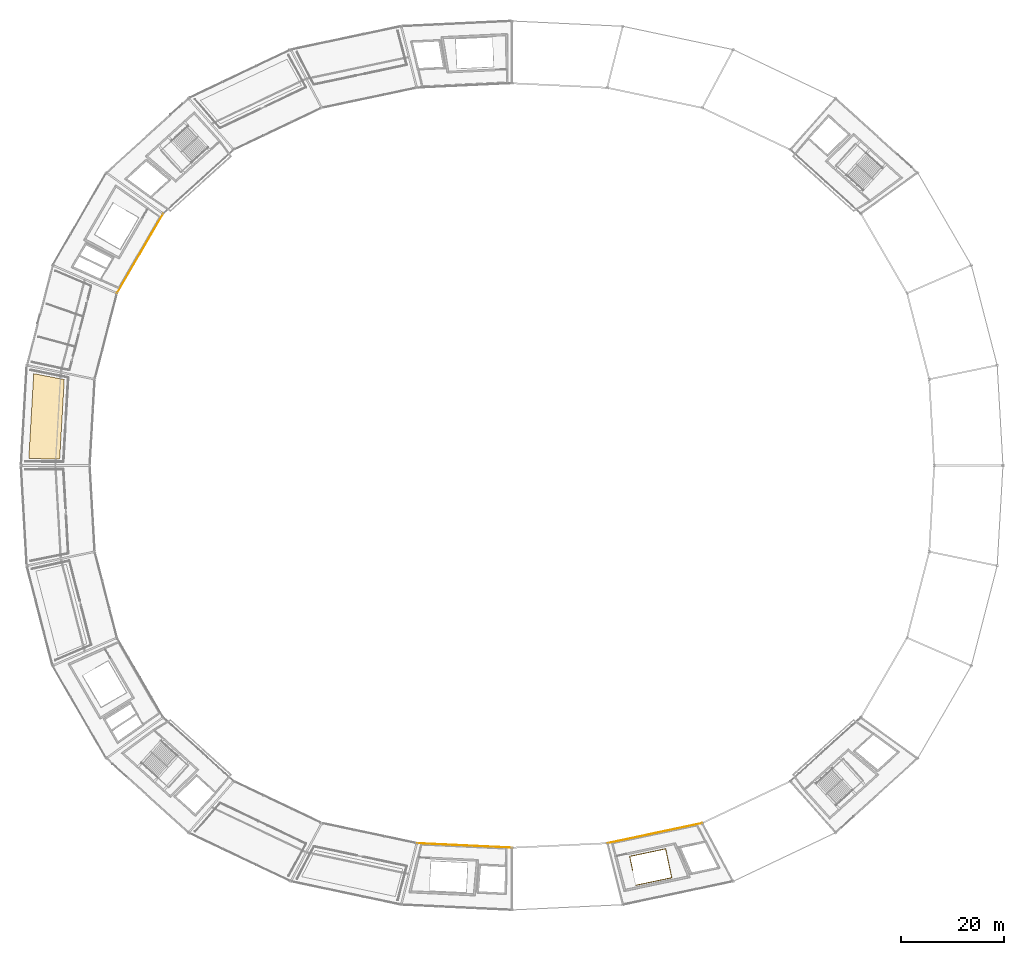
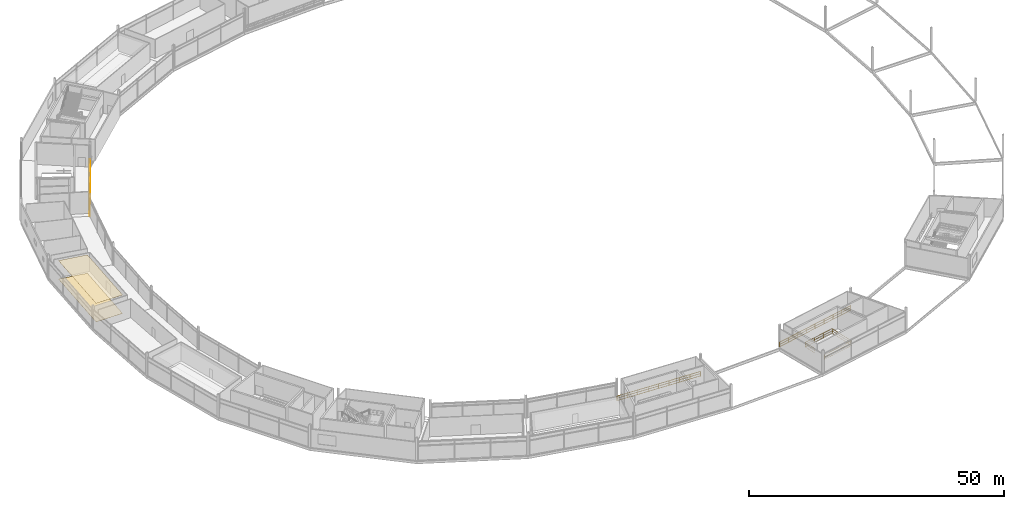
# One storey, part 83 of 86: 4 railings, 2 coverings.
"""IFC4 building model written with IfcOpenShell, lengths in metres."""

import ifcopenshell
import ifcopenshell.guid

model = None  # the IFC model being written
_history = None  # IfcOwnerHistory: only IFC2X3 demands one
_inside = {}  # id of a spatial element -> (the spatial element, [elements in it])
_under = {}  # id of a project, library or spatial element -> (it, [spatial elements below it])
_declared = {}  # id of a project -> (the project, [libraries it declares])
_typed = {}  # id of a type object -> (the type object, [elements of that type])
_made_of = {}  # id of a material, layer set ... -> (it, [elements and type objects made of it])


def new_model(schema):
    """Start an empty IFC model of exactly this schema.

    Asked for "IFC4X3", IfcOpenShell would pick the latest addendum, in which some entities
    have other attributes; the version numbers below select the first issue.
    IFC2X3 requires an IfcOwnerHistory on every rooted entity: one is made here for all.
    """
    global model, _history
    if schema == "IFC4X3":
        model = ifcopenshell.file(schema_version=(4, 3, 0, 0))
    else:
        model = ifcopenshell.file(schema=schema)
    _inside.clear()
    _under.clear()
    _declared.clear()
    _typed.clear()
    _made_of.clear()
    _history = None
    if model.schema == "IFC2X3":
        org = make("IfcOrganization", Name="unknown")
        user = make(
            "IfcPersonAndOrganization",
            ThePerson=make("IfcPerson", FamilyName="unknown"),
            TheOrganization=org,
        )
        app = make(
            "IfcApplication",
            ApplicationDeveloper=org,
            Version="unknown",
            ApplicationFullName="unknown",
            ApplicationIdentifier="unknown",
        )
        _history = make(
            "IfcOwnerHistory",
            OwningUser=user,
            OwningApplication=app,
            ChangeAction="ADDED",
            CreationDate=0,
        )
    return model


def make(cls, **values):
    """One entity of the class cls with the attributes given. An attribute that is None is left unset."""
    return model.create_entity(
        cls, **{name: value for name, value in values.items() if value is not None}
    )


def rooted(cls, **values):
    """An entity with a GlobalId (a new one), such as an element, a storey or a relation."""
    return make(cls, GlobalId=ifcopenshell.guid.new(), OwnerHistory=_history, **values)


def si_unit(unit_type, name, prefix=None):
    """IfcSIUnit, for example si_unit("LENGTHUNIT", "METRE", prefix="MILLI")."""
    return make("IfcSIUnit", UnitType=unit_type, Prefix=prefix, Name=name)


def assignment(units):
    """IfcUnitAssignment: the units of a project."""
    return None if units is None else make("IfcUnitAssignment", Units=units)


def point(xyz):
    """IfcCartesianPoint."""
    return None if xyz is None else make("IfcCartesianPoint", Coordinates=xyz)


def direction(xyz):
    """IfcDirection."""
    return None if xyz is None else make("IfcDirection", DirectionRatios=xyz)


def frame(location, z_axis=None, x_axis=None):
    """IfcAxis2Placement3D, a coordinate frame: its origin and axes. An axis left out is left unset."""
    return make(
        "IfcAxis2Placement3D",
        Location=point(location),
        Axis=direction(z_axis),
        RefDirection=direction(x_axis),
    )


def frame_2d(location, x_axis=None):
    """IfcAxis2Placement2D, a coordinate frame in the plane: its origin and x axis."""
    return make(
        "IfcAxis2Placement2D", Location=point(location), RefDirection=direction(x_axis)
    )


def origin():
    """The frame at (0, 0, 0) with its axes left unset."""
    return frame((0.0, 0.0, 0.0))


def origin_2d():
    """The frame at (0, 0) in the plane with its x axis left unset."""
    return frame_2d((0.0, 0.0))


def place(relative_to, where):
    """IfcLocalPlacement: puts the frame where relative to a parent placement (None: the world)."""
    return make(
        "IfcLocalPlacement", PlacementRelTo=relative_to, RelativePlacement=where
    )


def context(
    kind, dimensions, precision=None, world=None, true_north=None, identifier=None
):
    """IfcGeometricRepresentationContext, for example the 3D "Model" context."""
    return make(
        "IfcGeometricRepresentationContext",
        ContextIdentifier=identifier,
        ContextType=kind,
        CoordinateSpaceDimension=dimensions,
        Precision=precision,
        WorldCoordinateSystem=world,
        TrueNorth=true_north,
    )


def subcontext(parent, identifier, kind, view, scale=None):
    """IfcGeometricRepresentationSubContext, for example "Body" below "Model"."""
    return make(
        "IfcGeometricRepresentationSubContext",
        ContextIdentifier=identifier,
        ContextType=kind,
        ParentContext=parent,
        TargetScale=scale,
        TargetView=view,
    )


def project(units=None, contexts=None):
    """IfcProject with its units and contexts."""
    return rooted(
        "IfcProject",
        Name="project",
        RepresentationContexts=contexts,
        UnitsInContext=assignment(units),
    )


def spatial(cls, under=None, at=None, **own):
    """A site, building, storey or space (cls), placed at a placement, below another one or the project."""
    s = rooted(cls, ObjectPlacement=at, **own)
    if under is not None:
        _under.setdefault(under.id(), (under, []))[1].append(s)
    return s


def polyline(points):
    """IfcPolyline through the points."""
    return make("IfcPolyline", Points=[point(p) for p in points])


def profile(cls, at=None, kind="AREA", **sizes):
    """A parametric profile (cls). Its sizes go by their IFC names, for example OverallWidth=200.0."""
    return make(cls, ProfileType=kind, Position=at, **sizes)


def rectangle(**sizes):
    """IfcRectangleProfileDef."""
    return profile("IfcRectangleProfileDef", **sizes)


def outline(outer, holes=None, kind="AREA"):
    """IfcArbitraryClosedProfileDef: a profile drawn as a closed curve; with holes, ...WithVoids."""
    if holes is None:
        return make("IfcArbitraryClosedProfileDef", ProfileType=kind, OuterCurve=outer)
    return make(
        "IfcArbitraryProfileDefWithVoids",
        ProfileType=kind,
        OuterCurve=outer,
        InnerCurves=holes,
    )


def extrude(swept, where, along, depth):
    """IfcExtrudedAreaSolid: the profile swept, set in the frame where, extruded along a direction by depth."""
    return make(
        "IfcExtrudedAreaSolid",
        SweptArea=swept,
        Position=where,
        ExtrudedDirection=direction(along),
        Depth=depth,
    )


def shape(context_of_items, identifier, shape_type, items):
    """IfcShapeRepresentation: the items that make up one representation, for example the "Body"."""
    return make(
        "IfcShapeRepresentation",
        ContextOfItems=context_of_items,
        RepresentationIdentifier=identifier,
        RepresentationType=shape_type,
        Items=items,
    )


def material(Name=None, Category=None):
    """IfcMaterial."""
    return make("IfcMaterial", Name=Name, Category=Category)


def layer(
    of_material, thickness, ventilated=None, Name=None, Category=None, Priority=None
):
    """IfcMaterialLayer: one layer of a wall or slab, of a material (None: an air gap)."""
    return make(
        "IfcMaterialLayer",
        Material=of_material,
        LayerThickness=thickness,
        IsVentilated=ventilated,
        Name=Name,
        Category=Category,
        Priority=Priority,
    )


def layer_set(layers, Name=None):
    """IfcMaterialLayerSet."""
    return make("IfcMaterialLayerSet", MaterialLayers=layers, LayerSetName=Name)


def made_of(thing, what):
    """Note that an element or type object is made of a material, layer set ...; save() writes the relation."""
    if what is not None:
        _made_of.setdefault(what.id(), (what, []))[1].append(thing)
    return thing


def type_object(cls, material=None, **own):
    """A type object (cls), such as IfcWallType, which elements share."""
    return made_of(rooted(cls, **own), material)


def element(
    cls,
    number,
    at=None,
    inside=None,
    cuts=None,
    type_object=None,
    material=None,
    context=None,
    identifier="Body",
    shape_type=None,
    held_by="IfcProductDefinitionShape",
    body=None,
    shapes=None,
    **own,
):
    """One element of the class cls, such as IfcWall. Its Tag is "e" and its number.

    at: its placement. inside: the storey or other place that contains it. cuts: it is an
    opening in that element (IfcRelVoidsElement). A single representation is given by context,
    identifier, shape_type and body (its items); several are given by shapes. held_by: the class
    of the entity that holds the representations. save() writes the other relations.
    """
    e = rooted(cls, Tag="e%d" % number, ObjectPlacement=at, **own)
    if body is not None:
        shapes = [shape(context, identifier, shape_type, body)]
    if shapes is not None:
        e.Representation = make(held_by, Representations=shapes)
    if inside is not None:
        _inside.setdefault(inside.id(), (inside, []))[1].append(e)
    if cuts is not None:
        rooted(
            "IfcRelVoidsElement", RelatingBuildingElement=cuts, RelatedOpeningElement=e
        )
    if type_object is not None:
        _typed.setdefault(type_object.id(), (type_object, []))[1].append(e)
    return made_of(e, material)


def aggregate(whole, parts):
    """IfcRelAggregates: a whole, such as a stair, and the parts it consists of."""
    return rooted("IfcRelAggregates", RelatingObject=whole, RelatedObjects=parts)


def save(model, path):
    """Write the relations noted so far, then the file.

    IfcRelAggregates (storeys below a building ...), IfcRelContainedInSpatialStructure (elements
    in a storey), IfcRelDefinesByType, IfcRelAssociatesMaterial and IfcRelDeclares: one each for
    every whole, place, type object, material and project.
    """
    for whole, parts in _under.values():
        aggregate(whole, parts)
    for where, things in _inside.values():
        rooted(
            "IfcRelContainedInSpatialStructure",
            RelatedElements=things,
            RelatingStructure=where,
        )
    for kind, things in _typed.values():
        rooted("IfcRelDefinesByType", RelatedObjects=things, RelatingType=kind)
    for what, things in _made_of.values():
        rooted("IfcRelAssociatesMaterial", RelatedObjects=things, RelatingMaterial=what)
    for by, libraries in _declared.values():
        rooted("IfcRelDeclares", RelatingContext=by, RelatedDefinitions=libraries)
    model.write(path)


model = new_model("IFC4")

# Units and contexts
model_context = context("Model", 3, precision=1e-05, world=origin(), true_north=direction((0.0, 1.0)))
body_context = subcontext(model_context, "Body", "Model", "MODEL_VIEW")
ifc_project = project(units=[si_unit("LENGTHUNIT", "METRE"), si_unit("AREAUNIT", "SQUARE_METRE"), si_unit("VOLUMEUNIT", "CUBIC_METRE"), si_unit("PLANEANGLEUNIT", "RADIAN"), si_unit("MASSUNIT", "GRAM", prefix="KILO")], contexts=[model_context])

# Site, building, storey
site_placement = place(None, origin())
site = spatial("IfcSite", under=ifc_project, at=site_placement, CompositionType="ELEMENT")
building_placement = place(site_placement, origin())
building = spatial("IfcBuilding", under=site, at=building_placement, Name="Kazemori Nagisa Stadium", CompositionType="ELEMENT")
storey_placement = place(building_placement, frame((0.0, 0.0, 31.280029296875)))
storey = spatial("IfcBuildingStorey", under=building, at=storey_placement, Name="L06", CompositionType="ELEMENT", Elevation=31.280029296875)

# Coverings
ifc_material_1 = material(Name="Mineral-fibre acoustic board", Category="gypsum")
ifc_layer_1 = layer(ifc_material_1, 0.02001953125, Name="Mineral-fibre acoustic board", Category="gypsum")
ifc_layer_set_1 = layer_set([ifc_layer_1], Name="Mineral-fibre acoustic board")
covering_type_1 = type_object("IfcCoveringType", Name="Cov_CEIL", PredefinedType="CEILING", material=ifc_layer_set_1)
covering_1_placement = place(storey_placement, frame((0.0, 0.0, 4.429931640625)))
element("IfcCovering", 1, at=covering_1_placement, inside=storey, type_object=covering_type_1, Name="Acoustic ceiling L06-B14", PredefinedType="CEILING", context=body_context, shape_type="SweptSolid", body=[
    extrude(outline(polyline([(36.36962890625, 118.6328125), (35.482177734375, 103.251953125), (29.502197265625, 103.33740234375), (30.4501953125, 119.769287109375), (36.36962890625, 118.6328125)])), origin(), (0.0, 0.0, 1.0), 0.02001953125),
])
ifc_material_2 = material(Name="Porcelain stoneware tile", Category="masonry")
ifc_layer_2 = layer(ifc_material_2, 0.02490234375, Name="Porcelain stoneware tile", Category="masonry")
ifc_layer_set_2 = layer_set([ifc_layer_2], Name="Porcelain stoneware tile")
covering_type_2 = type_object("IfcCoveringType", Name="Cov_FLOOR", PredefinedType="FLOORING", material=ifc_layer_set_2)
covering_2_placement = place(storey_placement, origin())
element("IfcCovering", 2, at=covering_2_placement, inside=storey, type_object=covering_type_2, Name="Porcelain floor finish L06-B14", PredefinedType="FLOORING", context=body_context, shape_type="SweptSolid", body=[
    extrude(outline(polyline([(36.36962890625, 118.6328125), (35.482177734375, 103.251953125), (29.502197265625, 103.33740234375), (30.4501953125, 119.769287109375), (36.36962890625, 118.6328125)])), origin(), (0.0, 0.0, 1.0), 0.02490234375),
])

# Railings
ifc_material_3 = material(Name="Laminated safety glass and stainless steel SUS304", Category="steel")
railing_type_1 = type_object("IfcRailingType", Name="Rail_BAL", PredefinedType="BALUSTRADE", material=ifc_material_3)
railing_1_placement = place(storey_placement, frame((55.493896484375, 150.734130859375, 0.0)))
element("IfcRailing", 3, at=railing_1_placement, inside=storey, type_object=railing_type_1, Name="Upper concourse balustrade L06-B12", PredefinedType="BALUSTRADE", context=body_context, shape_type="SweptSolid", body=[
    extrude(rectangle(XDim=0.050048828125, YDim=0.050048828125, at=origin_2d()), frame((0.0, 0.0, 1.09521484375), z_axis=(-0.501606704589, -0.865095783085, 0.0), x_axis=(0.865095783085, -0.501606704589, 0.0)), (0.0, 0.0, 1.0), 17.8125),
    extrude(rectangle(XDim=0.03759765625, YDim=0.03759765625, at=origin_2d()), frame((0.0, 0.0, 0.58251953125), z_axis=(-0.501606704589, -0.865095783085, 0.0), x_axis=(0.865095783085, -0.501606704589, 0.0)), (0.0, 0.0, 1.0), 17.8125),
    extrude(rectangle(XDim=0.03759765625, YDim=0.03759765625, at=origin_2d()), frame((0.0, 0.0, 0.02490234375), z_axis=(-0.501606704589, -0.865095783085, 0.0), x_axis=(0.865095783085, -0.501606704589, 0.0)), (0.0, 0.0, 1.0), 17.8125),
    extrude(rectangle(XDim=0.044921875, YDim=0.044921875, at=origin_2d()), origin(), (0.0, 0.0, 1.0), 1.070068359375),
    extrude(rectangle(XDim=0.044921875, YDim=0.044921875, at=origin_2d()), frame((-1.116943359375, -1.92626953125, 0.0)), (0.0, 0.0, 1.0), 1.070068359375),
    extrude(rectangle(XDim=0.044921875, YDim=0.044921875, at=origin_2d()), frame((-2.233642578125, -3.852294921875, 0.0)), (0.0, 0.0, 1.0), 1.070068359375),
    extrude(rectangle(XDim=0.044921875, YDim=0.044921875, at=origin_2d()), frame((-3.3505859375, -5.778564453125, 0.0)), (0.0, 0.0, 1.0), 1.070068359375),
    extrude(rectangle(XDim=0.044921875, YDim=0.044921875, at=origin_2d()), frame((-4.46728515625, -7.70458984375, 0.0)), (0.0, 0.0, 1.0), 1.070068359375),
    extrude(rectangle(XDim=0.044921875, YDim=0.044921875, at=origin_2d()), frame((-5.584228515625, -9.630859375, 0.0)), (0.0, 0.0, 1.0), 1.070068359375),
    extrude(rectangle(XDim=0.044921875, YDim=0.044921875, at=origin_2d()), frame((-6.701171875, -11.55712890625, 0.0)), (0.0, 0.0, 1.0), 1.070068359375),
    extrude(rectangle(XDim=0.044921875, YDim=0.044921875, at=origin_2d()), frame((-7.81787109375, -13.483154296875, 0.0)), (0.0, 0.0, 1.0), 1.070068359375),
    extrude(rectangle(XDim=0.044921875, YDim=0.044921875, at=origin_2d()), frame((-8.934814453125, -15.409423828125, 0.0)), (0.0, 0.0, 1.0), 1.070068359375),
])
railing_2_placement = place(storey_placement, frame((104.572265625, 28.911376953125, 0.0)))
element("IfcRailing", 4, at=railing_2_placement, inside=storey, type_object=railing_type_1, Name="Upper concourse balustrade L06-B21", PredefinedType="BALUSTRADE", context=body_context, shape_type="SweptSolid", body=[
    extrude(rectangle(XDim=0.050048828125, YDim=0.050048828125, at=origin_2d()), frame((0.0, 0.0, 1.09521484375), z_axis=(0.9988839804, -0.047231278829, 0.0), x_axis=(0.047231278829, 0.9988839804, 0.0)), (0.0, 0.0, 1.0), 18.4482421875),
    extrude(rectangle(XDim=0.03759765625, YDim=0.03759765625, at=origin_2d()), frame((0.0, 0.0, 0.58251953125), z_axis=(0.9988839804, -0.047231278829, 0.0), x_axis=(0.047231278829, 0.9988839804, 0.0)), (0.0, 0.0, 1.0), 18.4482421875),
    extrude(rectangle(XDim=0.03759765625, YDim=0.03759765625, at=origin_2d()), frame((0.0, 0.0, 0.02490234375), z_axis=(0.9988839804, -0.047231278829, 0.0), x_axis=(0.047231278829, 0.9988839804, 0.0)), (0.0, 0.0, 1.0), 18.4482421875),
    extrude(rectangle(XDim=0.044921875, YDim=0.044921875, at=origin_2d()), origin(), (0.0, 0.0, 1.0), 1.070068359375),
    extrude(rectangle(XDim=0.044921875, YDim=0.044921875, at=origin_2d()), frame((2.303466796875, -0.10888671875, 0.0)), (0.0, 0.0, 1.0), 1.070068359375),
    extrude(rectangle(XDim=0.044921875, YDim=0.044921875, at=origin_2d()), frame((4.60693359375, -0.2177734375, 0.0)), (0.0, 0.0, 1.0), 1.070068359375),
    extrude(rectangle(XDim=0.044921875, YDim=0.044921875, at=origin_2d()), frame((6.910400390625, -0.32666015625, 0.0)), (0.0, 0.0, 1.0), 1.070068359375),
    extrude(rectangle(XDim=0.044921875, YDim=0.044921875, at=origin_2d()), frame((9.2138671875, -0.435546875, 0.0)), (0.0, 0.0, 1.0), 1.070068359375),
    extrude(rectangle(XDim=0.044921875, YDim=0.044921875, at=origin_2d()), frame((11.517333984375, -0.544677734375, 0.0)), (0.0, 0.0, 1.0), 1.070068359375),
    extrude(rectangle(XDim=0.044921875, YDim=0.044921875, at=origin_2d()), frame((13.82080078125, -0.653564453125, 0.0)), (0.0, 0.0, 1.0), 1.070068359375),
    extrude(rectangle(XDim=0.044921875, YDim=0.044921875, at=origin_2d()), frame((16.124267578125, -0.762451171875, 0.0)), (0.0, 0.0, 1.0), 1.070068359375),
    extrude(rectangle(XDim=0.044921875, YDim=0.044921875, at=origin_2d()), frame((18.427734375, -0.871337890625, 0.0)), (0.0, 0.0, 1.0), 1.070068359375),
])
railing_3_placement = place(storey_placement, frame((141.427734375, 28.911376953125, 0.0)))
element("IfcRailing", 5, at=railing_3_placement, inside=storey, type_object=railing_type_1, Name="Upper concourse balustrade L06-B23", PredefinedType="BALUSTRADE", context=body_context, shape_type="SweptSolid", body=[
    extrude(rectangle(XDim=0.050048828125, YDim=0.050048828125, at=origin_2d()), frame((0.0, 0.0, 1.09521484375), z_axis=(0.978345149833, 0.206980114499, 0.0), x_axis=(-0.206980114499, 0.978345149833, 0.0)), (0.0, 0.0, 1.0), 18.791259765625),
    extrude(rectangle(XDim=0.03759765625, YDim=0.03759765625, at=origin_2d()), frame((0.0, 0.0, 0.58251953125), z_axis=(0.978345149833, 0.206980114499, 0.0), x_axis=(-0.206980114499, 0.978345149833, 0.0)), (0.0, 0.0, 1.0), 18.791259765625),
    extrude(rectangle(XDim=0.03759765625, YDim=0.03759765625, at=origin_2d()), frame((0.0, 0.0, 0.02490234375), z_axis=(0.978345149833, 0.206980114499, 0.0), x_axis=(-0.206980114499, 0.978345149833, 0.0)), (0.0, 0.0, 1.0), 18.791259765625),
    extrude(rectangle(XDim=0.044921875, YDim=0.044921875, at=origin_2d()), origin(), (0.0, 0.0, 1.0), 1.070068359375),
    extrude(rectangle(XDim=0.044921875, YDim=0.044921875, at=origin_2d()), frame((2.298095703125, 0.486083984375, 0.0)), (0.0, 0.0, 1.0), 1.070068359375),
    extrude(rectangle(XDim=0.044921875, YDim=0.044921875, at=origin_2d()), frame((4.59619140625, 0.972412109375, 0.0)), (0.0, 0.0, 1.0), 1.070068359375),
    extrude(rectangle(XDim=0.044921875, YDim=0.044921875, at=origin_2d()), frame((6.89404296875, 1.45849609375, 0.0)), (0.0, 0.0, 1.0), 1.070068359375),
    extrude(rectangle(XDim=0.044921875, YDim=0.044921875, at=origin_2d()), frame((9.192138671875, 1.94482421875, 0.0)), (0.0, 0.0, 1.0), 1.070068359375),
    extrude(rectangle(XDim=0.044921875, YDim=0.044921875, at=origin_2d()), frame((11.490234375, 2.430908203125, 0.0)), (0.0, 0.0, 1.0), 1.070068359375),
    extrude(rectangle(XDim=0.044921875, YDim=0.044921875, at=origin_2d()), frame((13.7880859375, 2.9169921875, 0.0)), (0.0, 0.0, 1.0), 1.070068359375),
    extrude(rectangle(XDim=0.044921875, YDim=0.044921875, at=origin_2d()), frame((16.086181640625, 3.4033203125, 0.0)), (0.0, 0.0, 1.0), 1.070068359375),
    extrude(rectangle(XDim=0.044921875, YDim=0.044921875, at=origin_2d()), frame((18.38427734375, 3.889404296875, 0.0)), (0.0, 0.0, 1.0), 1.070068359375),
])
ifc_material_4 = material(Name="Galvanised powder-coated steel", Category="steel")
railing_type_2 = type_object("IfcRailingType", Name="Rail_GUARD", PredefinedType="GUARDRAIL", material=ifc_material_4)
railing_4_placement = place(storey_placement, frame((146.36669921875, 23.56494140625, 0.0)))
element("IfcRailing", 6, at=railing_4_placement, inside=storey, type_object=railing_type_2, Name="Stair well perimeter guard ST06-L06", PredefinedType="GUARDRAIL", context=body_context, shape_type="SweptSolid", body=[
    extrude(rectangle(XDim=0.050048828125, YDim=0.050048828125, at=origin_2d()), frame((0.0, 0.0, 1.09521484375), z_axis=(-0.206960167837, 0.978349369565, 0.0), x_axis=(-0.978349369565, -0.206960167837, 0.0)), (0.0, 0.0, 1.0), 2.85009765625),
    extrude(rectangle(XDim=0.03759765625, YDim=0.03759765625, at=origin_2d()), frame((0.0, 0.0, 0.58251953125), z_axis=(-0.206960167837, 0.978349369565, 0.0), x_axis=(-0.978349369565, -0.206960167837, 0.0)), (0.0, 0.0, 1.0), 2.85009765625),
    extrude(rectangle(XDim=0.03759765625, YDim=0.03759765625, at=origin_2d()), frame((0.0, 0.0, 0.02490234375), z_axis=(-0.206960167837, 0.978349369565, 0.0), x_axis=(-0.978349369565, -0.206960167837, 0.0)), (0.0, 0.0, 1.0), 2.85009765625),
    extrude(rectangle(XDim=0.050048828125, YDim=0.050048828125, at=origin_2d()), frame((-0.58984375, 2.788330078125, 1.09521484375), z_axis=(0.978345951351, 0.206976325879, 0.0), x_axis=(-0.206976325879, 0.978345951351, 0.0)), (0.0, 0.0, 1.0), 7.094970703125),
    extrude(rectangle(XDim=0.03759765625, YDim=0.03759765625, at=origin_2d()), frame((-0.58984375, 2.788330078125, 0.58251953125), z_axis=(0.978345951351, 0.206976325879, 0.0), x_axis=(-0.206976325879, 0.978345951351, 0.0)), (0.0, 0.0, 1.0), 7.094970703125),
    extrude(rectangle(XDim=0.03759765625, YDim=0.03759765625, at=origin_2d()), frame((-0.58984375, 2.788330078125, 0.02490234375), z_axis=(0.978345951351, 0.206976325879, 0.0), x_axis=(-0.206976325879, 0.978345951351, 0.0)), (0.0, 0.0, 1.0), 7.094970703125),
    extrude(rectangle(XDim=0.050048828125, YDim=0.050048828125, at=origin_2d()), frame((6.3515625, 4.2568359375, 1.09521484375), z_axis=(0.206960167837, -0.978349369565, 0.0), x_axis=(0.978349369565, 0.206960167837, 0.0)), (0.0, 0.0, 1.0), 5.699951171875),
    extrude(rectangle(XDim=0.03759765625, YDim=0.03759765625, at=origin_2d()), frame((6.3515625, 4.2568359375, 0.58251953125), z_axis=(0.206960167837, -0.978349369565, 0.0), x_axis=(0.978349369565, 0.206960167837, 0.0)), (0.0, 0.0, 1.0), 5.699951171875),
    extrude(rectangle(XDim=0.03759765625, YDim=0.03759765625, at=origin_2d()), frame((6.3515625, 4.2568359375, 0.02490234375), z_axis=(0.206960167837, -0.978349369565, 0.0), x_axis=(0.978349369565, 0.206960167837, 0.0)), (0.0, 0.0, 1.0), 5.699951171875),
    extrude(rectangle(XDim=0.050048828125, YDim=0.050048828125, at=origin_2d()), frame((7.53125, -1.31982421875, 1.09521484375), z_axis=(-0.978344477179, -0.206983293948, 0.0), x_axis=(0.206983293948, -0.978344477179, 0.0)), (0.0, 0.0, 1.0), 7.0947265625),
    extrude(rectangle(XDim=0.03759765625, YDim=0.03759765625, at=origin_2d()), frame((7.53125, -1.31982421875, 0.58251953125), z_axis=(-0.978344477179, -0.206983293948, 0.0), x_axis=(0.206983293948, -0.978344477179, 0.0)), (0.0, 0.0, 1.0), 7.0947265625),
    extrude(rectangle(XDim=0.03759765625, YDim=0.03759765625, at=origin_2d()), frame((7.53125, -1.31982421875, 0.02490234375), z_axis=(-0.978344477179, -0.206983293948, 0.0), x_axis=(0.206983293948, -0.978344477179, 0.0)), (0.0, 0.0, 1.0), 7.0947265625),
    extrude(rectangle(XDim=0.044921875, YDim=0.044921875, at=origin_2d()), origin(), (0.0, 0.0, 1.0), 1.070068359375),
    extrude(rectangle(XDim=0.044921875, YDim=0.044921875, at=origin_2d()), frame((-0.294921875, 1.39404296875, 0.0)), (0.0, 0.0, 1.0), 1.070068359375),
    extrude(rectangle(XDim=0.044921875, YDim=0.044921875, at=origin_2d()), frame((-0.58984375, 2.788330078125, 0.0)), (0.0, 0.0, 1.0), 1.070068359375),
    extrude(rectangle(XDim=0.044921875, YDim=0.044921875, at=origin_2d()), frame((1.723876953125, 3.27783203125, 0.0)), (0.0, 0.0, 1.0), 1.070068359375),
    extrude(rectangle(XDim=0.044921875, YDim=0.044921875, at=origin_2d()), frame((4.037841796875, 3.767333984375, 0.0)), (0.0, 0.0, 1.0), 1.070068359375),
    extrude(rectangle(XDim=0.044921875, YDim=0.044921875, at=origin_2d()), frame((6.3515625, 4.2568359375, 0.0)), (0.0, 0.0, 1.0), 1.070068359375),
    extrude(rectangle(XDim=0.044921875, YDim=0.044921875, at=origin_2d()), frame((6.744873046875, 2.39794921875, 0.0)), (0.0, 0.0, 1.0), 1.070068359375),
    extrude(rectangle(XDim=0.044921875, YDim=0.044921875, at=origin_2d()), frame((7.137939453125, 0.5390625, 0.0)), (0.0, 0.0, 1.0), 1.070068359375),
    extrude(rectangle(XDim=0.044921875, YDim=0.044921875, at=origin_2d()), frame((7.53125, -1.31982421875, 0.0)), (0.0, 0.0, 1.0), 1.070068359375),
    extrude(rectangle(XDim=0.044921875, YDim=0.044921875, at=origin_2d()), frame((5.217529296875, -1.809326171875, 0.0)), (0.0, 0.0, 1.0), 1.070068359375),
    extrude(rectangle(XDim=0.044921875, YDim=0.044921875, at=origin_2d()), frame((2.90380859375, -2.298828125, 0.0)), (0.0, 0.0, 1.0), 1.070068359375),
    extrude(rectangle(XDim=0.044921875, YDim=0.044921875, at=origin_2d()), frame((0.590087890625, -2.788330078125, 0.0)), (0.0, 0.0, 1.0), 1.070068359375),
])

save(model, "model.ifc")
